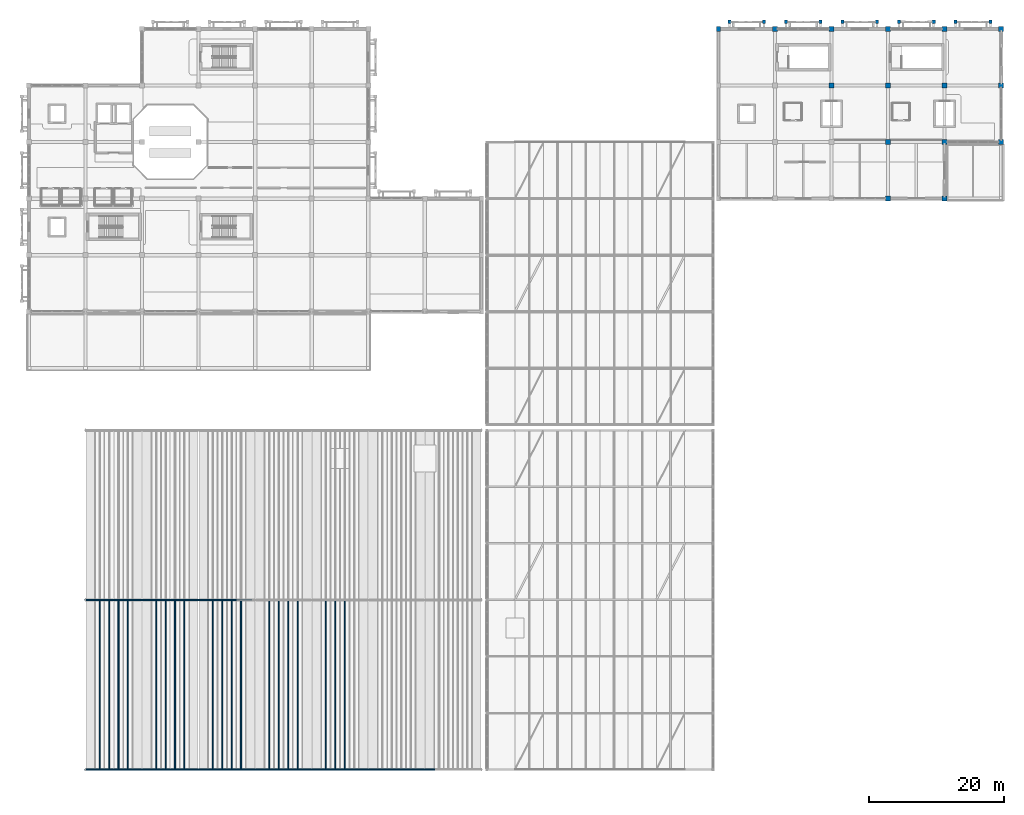
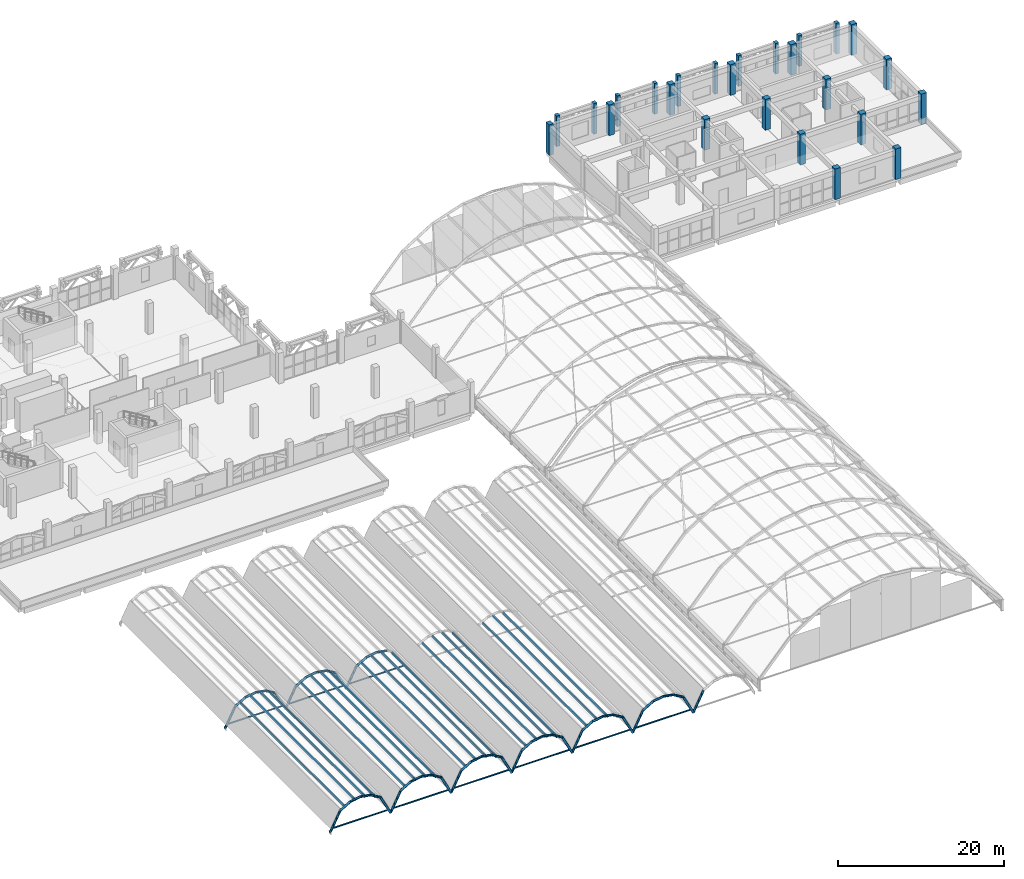
# One storey, part 8 of 114: 62 beams, 25 columns, 19 members.
"""IFC4 building model written with IfcOpenShell, lengths in metres."""

from ifc_helpers import new_model, si_unit, direction, frame, origin, origin_2d, place, context, subcontext, project, spatial, rectangle, hollow_circle, extrude, material, material_profile, profile_set, type_object, element, save


model = new_model("IFC4")

# Units and contexts
model_context = context("Model", 3, precision=1e-05, world=origin(), true_north=direction((0.0, 1.0)))
body_context = subcontext(model_context, "Body", "Model", "MODEL_VIEW")
ifc_project = project(units=[si_unit("LENGTHUNIT", "METRE"), si_unit("AREAUNIT", "SQUARE_METRE"), si_unit("VOLUMEUNIT", "CUBIC_METRE"), si_unit("PLANEANGLEUNIT", "RADIAN"), si_unit("MASSUNIT", "GRAM", prefix="KILO")], contexts=[model_context])

# Site, building, storey
site_placement = place(None, origin())
site = spatial("IfcSite", under=ifc_project, at=site_placement, CompositionType="ELEMENT")
building_placement = place(site_placement, origin())
building = spatial("IfcBuilding", under=site, at=building_placement, Name="Xazarin Passage Department Store", CompositionType="ELEMENT")
storey_placement = place(building_placement, frame((0.0, 0.0, 14.39990234375)))
storey = spatial("IfcBuildingStorey", under=building, at=storey_placement, Name="L03", CompositionType="ELEMENT", Elevation=14.39990234375)

# Columns
ifc_material_1 = material(Name="Concrete C40/50", Category="concrete")
ifc_material_profile_1 = material_profile(ifc_material_1, rectangle(XDim=0.75, YDim=0.75, at=origin_2d()), Name="RC 750x750")
ifc_profile_set_1 = profile_set([ifc_material_profile_1], Name="Concrete C40/50")
column_type_1 = type_object("IfcColumnType", Name="STR-COL-RC750", PredefinedType="COLUMN", material=ifc_profile_set_1)
for number, where, z_axis, x_axis, name in (
    (1, (127.60009765625, 84.800048828125, 0.0), (0.0, 0.0, 1.0), (1.0, 0.0, 0.0), "L03 Column 18/M"),
    (2, (136.0, 84.800048828125, 0.0), (0.0, 0.0, 1.0), (1.0, 0.0, 0.0), "L03 Column 19/M"),
    (3, (127.60009765625, 93.199951171875, 0.0), (0.0, 0.0, 1.0), (1.0, 0.0, 0.0), "L03 Column 18/N"),
    (4, (136.0, 93.199951171875, 0.0), (0.0, 0.0, 1.0), (1.0, 0.0, 0.0), "L03 Column 19/N"),
    (5, (144.39990234375, 93.199951171875, 0.0), (0.0, 0.0, 1.0), (1.0, 0.0, 0.0), "L03 Column 20/N"),
    (6, (119.199951171875, 101.60009765625, 0.0), (0.0, 0.0, 1.0), (1.0, 0.0, 0.0), "L03 Column 17/P"),
    (7, (127.60009765625, 101.60009765625, 0.0), (0.0, 0.0, 1.0), (1.0, 0.0, 0.0), "L03 Column 18/P"),
    (8, (136.0, 101.60009765625, 0.0), (0.0, 0.0, 1.0), (1.0, 0.0, 0.0), "L03 Column 19/P"),
    (9, (144.39990234375, 101.60009765625, 0.0), (0.0, 0.0, 1.0), (1.0, 0.0, 0.0), "L03 Column 20/P"),
    (10, (110.800048828125, 110.0, 0.0), (0.0, 0.0, 1.0), (1.0, 0.0, 0.0), "L03 Column 16/Q"),
    (11, (119.199951171875, 110.0, 0.0), (0.0, 0.0, 1.0), (1.0, 0.0, 0.0), "L03 Column 17/Q"),
    (12, (127.60009765625, 110.0, 0.0), (0.0, 0.0, 1.0), (1.0, 0.0, 0.0), "L03 Column 18/Q"),
    (13, (136.0, 110.0, 0.0), (0.0, 0.0, 1.0), (1.0, 0.0, 0.0), "L03 Column 19/Q"),
    (14, (144.39990234375, 110.0, 0.0), (0.0, 0.0, 1.0), (1.0, 0.0, 0.0), "L03 Column 20/Q"),
):
    element("IfcColumn", number, at=place(storey_placement, frame(where, z_axis=z_axis, x_axis=x_axis)), inside=storey, type_object=column_type_1, Name=name, PredefinedType="COLUMN", context=body_context, shape_type="SweptSolid", body=[
        extrude(rectangle(XDim=0.75, YDim=0.75, at=origin_2d()), origin(), (0.0, 0.0, 1.0), 4.5),
    ])
ifc_material_profile_2 = material_profile(ifc_material_1, rectangle(XDim=0.60009765625, YDim=0.75, at=origin_2d()), Name="RC 600x750")
ifc_profile_set_2 = profile_set([ifc_material_profile_2], Name="Concrete C40/50")
column_type_2 = type_object("IfcColumnType", Name="STR-COL-SJ750", PredefinedType="COLUMN", material=ifc_profile_set_2)
column_placement = place(storey_placement, frame((102.39990234375, 110.0, 0.0), z_axis=(0.0, 0.0, 1.0), x_axis=(1.0, 0.0, 0.0)))
element("IfcColumn", 15, at=column_placement, inside=storey, type_object=column_type_2, Name="L03 Column 15/Q", PredefinedType="COLUMN", context=body_context, shape_type="SweptSolid", body=[
    extrude(rectangle(XDim=0.60009765625, YDim=0.75, at=origin_2d()), origin(), (0.0, 0.0, 1.0), 4.5),
])
ifc_material_profile_3 = material_profile(ifc_material_1, rectangle(XDim=0.449951171875, YDim=0.550048828125, at=origin_2d()), Name="RC 450x550")
ifc_profile_set_3 = profile_set([ifc_material_profile_3], Name="Concrete C40/50")
column_type_3 = type_object("IfcColumnType", Name="STR-PIL-RC450", PredefinedType="PILASTER", material=ifc_profile_set_3)
for number, where, z_axis, x_axis, name in (
    (16, (104.02001953125, 111.050048828125, 0.0), (0.0, 0.0, 1.0), (1.0, 0.0, 0.0), "L03 V4 Pierced-Arch Colonnade Pier 040L"),
    (17, (109.179931640625, 111.050048828125, 0.0), (0.0, 0.0, 1.0), (1.0, 0.0, 0.0), "L03 V4 Pierced-Arch Colonnade Pier 040R"),
    (18, (112.419921875, 111.050048828125, 0.0), (0.0, 0.0, 1.0), (1.0, 0.0, 0.0), "L03 V4 Pierced-Arch Colonnade Pier 041L"),
    (19, (117.580078125, 111.050048828125, 0.0), (0.0, 0.0, 1.0), (1.0, 0.0, 0.0), "L03 V4 Pierced-Arch Colonnade Pier 041R"),
    (20, (120.820068359375, 111.050048828125, 0.0), (0.0, 0.0, 1.0), (1.0, 0.0, 0.0), "L03 V4 Pierced-Arch Colonnade Pier 042L"),
    (21, (125.97998046875, 111.050048828125, 0.0), (0.0, 0.0, 1.0), (1.0, 0.0, 0.0), "L03 V4 Pierced-Arch Colonnade Pier 042R"),
    (22, (129.219970703125, 111.050048828125, 0.0), (0.0, 0.0, 1.0), (1.0, 0.0, 0.0), "L03 V4 Pierced-Arch Colonnade Pier 043L"),
    (23, (134.3798828125, 111.050048828125, 0.0), (0.0, 0.0, 1.0), (1.0, 0.0, 0.0), "L03 V4 Pierced-Arch Colonnade Pier 043R"),
    (24, (137.6201171875, 111.050048828125, 0.0), (0.0, 0.0, 1.0), (1.0, 0.0, 0.0), "L03 V4 Pierced-Arch Colonnade Pier 044L"),
    (25, (142.780029296875, 111.050048828125, 0.0), (0.0, 0.0, 1.0), (1.0, 0.0, 0.0), "L03 V4 Pierced-Arch Colonnade Pier 044R"),
):
    element("IfcColumn", number, at=place(storey_placement, frame(where, z_axis=z_axis, x_axis=x_axis)), inside=storey, type_object=column_type_3, Name=name, PredefinedType="PILASTER", context=body_context, shape_type="SweptSolid", body=[
        extrude(rectangle(XDim=0.449951171875, YDim=0.550048828125, at=origin_2d()), origin(), (0.0, 0.0, 1.0), 4.5),
    ])

# Beams
ifc_material_2 = material(Name="Steel S355", Category="steel")
ifc_material_profile_4 = material_profile(ifc_material_2, hollow_circle(Radius=0.161865234375, WallThickness=0.01611328125, at=origin_2d()), Name="CHS 323.9x16")
ifc_profile_set_4 = profile_set([ifc_material_profile_4], Name="Steel S355")
beam_type_1 = type_object("IfcBeamType", Name="STR-BM-AR324", PredefinedType="BEAM", material=ifc_profile_set_4)
beam_1_placement = place(storey_placement, frame((8.39990234375, 0.0, 0.0), z_axis=(0.45532507494, 0.0, 0.890325264233), x_axis=(0.0, 1.0, 0.0)))
element("IfcBeam", 26, at=beam_1_placement, inside=storey, type_object=beam_type_1, Name="L03 V3 Curved Shell Arch Rib 1.1.1", PredefinedType="BEAM", context=body_context, shape_type="SweptSolid", body=[
    extrude(hollow_circle(Radius=0.161865234375, WallThickness=0.01611328125, at=origin_2d()), origin(), (0.0, 0.0, 1.0), 3.074951171875),
])
beam_2_placement = place(storey_placement, frame((9.800048828125, 0.0, 2.73779296875), z_axis=(0.861930350886, 0.0, 0.507026695769), x_axis=(0.0, 1.0, 0.0)))
element("IfcBeam", 27, at=beam_2_placement, inside=storey, type_object=beam_type_1, Name="L03 V3 Curved Shell Arch Rib 1.1.2", PredefinedType="BEAM", context=body_context, shape_type="SweptSolid", body=[
    extrude(hollow_circle(Radius=0.161865234375, WallThickness=0.01611328125, at=origin_2d()), origin(), (0.0, 0.0, 1.0), 1.624267578125),
])
beam_3_placement = place(storey_placement, frame((11.199951171875, 0.0, 3.561279296875), z_axis=(0.985769095159, 0.0, 0.168105000011), x_axis=(0.0, 1.0, 0.0)))
element("IfcBeam", 28, at=beam_3_placement, inside=storey, type_object=beam_type_1, Name="L03 V3 Curved Shell Arch Rib 1.1.3", PredefinedType="BEAM", context=body_context, shape_type="SweptSolid", body=[
    extrude(hollow_circle(Radius=0.161865234375, WallThickness=0.01611328125, at=origin_2d()), origin(), (0.0, 0.0, 1.0), 1.42041015625),
])
beam_4_placement = place(storey_placement, frame((12.60009765625, 0.0, 3.800048828125), z_axis=(0.985764236534, 0.0, -0.168133488547), x_axis=(0.0, 1.0, 0.0)))
element("IfcBeam", 29, at=beam_4_placement, inside=storey, type_object=beam_type_1, Name="L03 V3 Curved Shell Arch Rib 1.1.4", PredefinedType="BEAM", context=body_context, shape_type="SweptSolid", body=[
    extrude(hollow_circle(Radius=0.161865234375, WallThickness=0.01611328125, at=origin_2d()), origin(), (0.0, 0.0, 1.0), 1.420166015625),
])
beam_5_placement = place(storey_placement, frame((14.0, 0.0, 3.561279296875), z_axis=(0.861930350886, 0.0, -0.507026695769), x_axis=(0.0, 1.0, 0.0)))
element("IfcBeam", 30, at=beam_5_placement, inside=storey, type_object=beam_type_1, Name="L03 V3 Curved Shell Arch Rib 1.1.5", PredefinedType="BEAM", context=body_context, shape_type="SweptSolid", body=[
    extrude(hollow_circle(Radius=0.161865234375, WallThickness=0.01611328125, at=origin_2d()), origin(), (0.0, 0.0, 1.0), 1.624267578125),
])
for number, where, z_axis, x_axis, name in (
    (31, (15.39990234375, 0.0, 2.73779296875), (0.45532507494, 0.0, -0.890325264233), (0.0, 1.0, 0.0), "L03 V3 Curved Shell Arch Rib 1.1.6"),
    (32, (8.39990234375, 25.199951171875, 0.0), (0.45532507494, 0.0, 0.890325264233), (0.0, 1.0, 0.0), "L03 V3 Curved Shell Arch Rib 1.2.1"),
):
    element("IfcBeam", number, at=place(storey_placement, frame(where, z_axis=z_axis, x_axis=x_axis)), inside=storey, type_object=beam_type_1, Name=name, PredefinedType="BEAM", context=body_context, shape_type="SweptSolid", body=[
        extrude(hollow_circle(Radius=0.161865234375, WallThickness=0.01611328125, at=origin_2d()), origin(), (0.0, 0.0, 1.0), 3.074951171875),
    ])
beam_6_placement = place(storey_placement, frame((9.800048828125, 25.199951171875, 2.73779296875), z_axis=(0.861930350886, 0.0, 0.507026695769), x_axis=(0.0, 1.0, 0.0)))
element("IfcBeam", 33, at=beam_6_placement, inside=storey, type_object=beam_type_1, Name="L03 V3 Curved Shell Arch Rib 1.2.2", PredefinedType="BEAM", context=body_context, shape_type="SweptSolid", body=[
    extrude(hollow_circle(Radius=0.161865234375, WallThickness=0.01611328125, at=origin_2d()), origin(), (0.0, 0.0, 1.0), 1.624267578125),
])
beam_7_placement = place(storey_placement, frame((11.199951171875, 25.199951171875, 3.561279296875), z_axis=(0.985769095159, 0.0, 0.168105000011), x_axis=(0.0, 1.0, 0.0)))
element("IfcBeam", 34, at=beam_7_placement, inside=storey, type_object=beam_type_1, Name="L03 V3 Curved Shell Arch Rib 1.2.3", PredefinedType="BEAM", context=body_context, shape_type="SweptSolid", body=[
    extrude(hollow_circle(Radius=0.161865234375, WallThickness=0.01611328125, at=origin_2d()), origin(), (0.0, 0.0, 1.0), 1.42041015625),
])
beam_8_placement = place(storey_placement, frame((12.60009765625, 25.199951171875, 3.800048828125), z_axis=(0.985764236534, 0.0, -0.168133488547), x_axis=(0.0, 1.0, 0.0)))
element("IfcBeam", 35, at=beam_8_placement, inside=storey, type_object=beam_type_1, Name="L03 V3 Curved Shell Arch Rib 1.2.4", PredefinedType="BEAM", context=body_context, shape_type="SweptSolid", body=[
    extrude(hollow_circle(Radius=0.161865234375, WallThickness=0.01611328125, at=origin_2d()), origin(), (0.0, 0.0, 1.0), 1.420166015625),
])
beam_9_placement = place(storey_placement, frame((14.0, 25.199951171875, 3.561279296875), z_axis=(0.861930350886, 0.0, -0.507026695769), x_axis=(0.0, 1.0, 0.0)))
element("IfcBeam", 36, at=beam_9_placement, inside=storey, type_object=beam_type_1, Name="L03 V3 Curved Shell Arch Rib 1.2.5", PredefinedType="BEAM", context=body_context, shape_type="SweptSolid", body=[
    extrude(hollow_circle(Radius=0.161865234375, WallThickness=0.01611328125, at=origin_2d()), origin(), (0.0, 0.0, 1.0), 1.624267578125),
])
for number, where, z_axis, x_axis, name in (
    (37, (15.39990234375, 25.199951171875, 2.73779296875), (0.45532507494, 0.0, -0.890325264233), (0.0, 1.0, 0.0), "L03 V3 Curved Shell Arch Rib 1.2.6"),
    (38, (16.800048828125, 0.0, 0.0), (0.455262137498, 0.0, 0.890357448535), (0.0, 1.0, 0.0), "L03 V3 Curved Shell Arch Rib 2.1.1"),
):
    element("IfcBeam", number, at=place(storey_placement, frame(where, z_axis=z_axis, x_axis=x_axis)), inside=storey, type_object=beam_type_1, Name=name, PredefinedType="BEAM", context=body_context, shape_type="SweptSolid", body=[
        extrude(hollow_circle(Radius=0.161865234375, WallThickness=0.01611328125, at=origin_2d()), origin(), (0.0, 0.0, 1.0), 3.074951171875),
    ])
beam_10_placement = place(storey_placement, frame((18.199951171875, 0.0, 2.73779296875), z_axis=(0.861968986848, 0.0, 0.506961010051), x_axis=(0.0, 1.0, 0.0)))
element("IfcBeam", 39, at=beam_10_placement, inside=storey, type_object=beam_type_1, Name="L03 V3 Curved Shell Arch Rib 2.1.2", PredefinedType="BEAM", context=body_context, shape_type="SweptSolid", body=[
    extrude(hollow_circle(Radius=0.161865234375, WallThickness=0.01611328125, at=origin_2d()), origin(), (0.0, 0.0, 1.0), 1.624267578125),
])
for number, where, z_axis, x_axis, name in (
    (40, (19.60009765625, 0.0, 3.561279296875), (0.985764236534, 0.0, 0.168133488547), (0.0, 1.0, 0.0), "L03 V3 Curved Shell Arch Rib 2.1.3"),
    (41, (21.0, 0.0, 3.800048828125), (0.985764236534, 0.0, -0.168133488547), (0.0, 1.0, 0.0), "L03 V3 Curved Shell Arch Rib 2.1.4"),
):
    element("IfcBeam", number, at=place(storey_placement, frame(where, z_axis=z_axis, x_axis=x_axis)), inside=storey, type_object=beam_type_1, Name=name, PredefinedType="BEAM", context=body_context, shape_type="SweptSolid", body=[
        extrude(hollow_circle(Radius=0.161865234375, WallThickness=0.01611328125, at=origin_2d()), origin(), (0.0, 0.0, 1.0), 1.420166015625),
    ])
beam_11_placement = place(storey_placement, frame((22.39990234375, 0.0, 3.561279296875), z_axis=(0.861968986848, 0.0, -0.506961010051), x_axis=(0.0, 1.0, 0.0)))
element("IfcBeam", 42, at=beam_11_placement, inside=storey, type_object=beam_type_1, Name="L03 V3 Curved Shell Arch Rib 2.1.5", PredefinedType="BEAM", context=body_context, shape_type="SweptSolid", body=[
    extrude(hollow_circle(Radius=0.161865234375, WallThickness=0.01611328125, at=origin_2d()), origin(), (0.0, 0.0, 1.0), 1.624267578125),
])
for number, where, z_axis, x_axis, name in (
    (43, (23.800048828125, 0.0, 2.73779296875), (0.455262137498, 0.0, -0.890357448535), (0.0, 1.0, 0.0), "L03 V3 Curved Shell Arch Rib 2.1.6"),
    (44, (16.800048828125, 25.199951171875, 0.0), (0.455262137498, 0.0, 0.890357448535), (0.0, 1.0, 0.0), "L03 V3 Curved Shell Arch Rib 2.2.1"),
):
    element("IfcBeam", number, at=place(storey_placement, frame(where, z_axis=z_axis, x_axis=x_axis)), inside=storey, type_object=beam_type_1, Name=name, PredefinedType="BEAM", context=body_context, shape_type="SweptSolid", body=[
        extrude(hollow_circle(Radius=0.161865234375, WallThickness=0.01611328125, at=origin_2d()), origin(), (0.0, 0.0, 1.0), 3.074951171875),
    ])
beam_12_placement = place(storey_placement, frame((18.199951171875, 25.199951171875, 2.73779296875), z_axis=(0.861968986848, 0.0, 0.506961010051), x_axis=(0.0, 1.0, 0.0)))
element("IfcBeam", 45, at=beam_12_placement, inside=storey, type_object=beam_type_1, Name="L03 V3 Curved Shell Arch Rib 2.2.2", PredefinedType="BEAM", context=body_context, shape_type="SweptSolid", body=[
    extrude(hollow_circle(Radius=0.161865234375, WallThickness=0.01611328125, at=origin_2d()), origin(), (0.0, 0.0, 1.0), 1.624267578125),
])
for number, where, z_axis, x_axis, name in (
    (46, (19.60009765625, 25.199951171875, 3.561279296875), (0.985764236534, 0.0, 0.168133488547), (0.0, 1.0, 0.0), "L03 V3 Curved Shell Arch Rib 2.2.3"),
    (47, (21.0, 25.199951171875, 3.800048828125), (0.985764236534, 0.0, -0.168133488547), (0.0, 1.0, 0.0), "L03 V3 Curved Shell Arch Rib 2.2.4"),
):
    element("IfcBeam", number, at=place(storey_placement, frame(where, z_axis=z_axis, x_axis=x_axis)), inside=storey, type_object=beam_type_1, Name=name, PredefinedType="BEAM", context=body_context, shape_type="SweptSolid", body=[
        extrude(hollow_circle(Radius=0.161865234375, WallThickness=0.01611328125, at=origin_2d()), origin(), (0.0, 0.0, 1.0), 1.420166015625),
    ])
beam_13_placement = place(storey_placement, frame((22.39990234375, 25.199951171875, 3.561279296875), z_axis=(0.861968986848, 0.0, -0.506961010051), x_axis=(0.0, 1.0, 0.0)))
element("IfcBeam", 48, at=beam_13_placement, inside=storey, type_object=beam_type_1, Name="L03 V3 Curved Shell Arch Rib 2.2.5", PredefinedType="BEAM", context=body_context, shape_type="SweptSolid", body=[
    extrude(hollow_circle(Radius=0.161865234375, WallThickness=0.01611328125, at=origin_2d()), origin(), (0.0, 0.0, 1.0), 1.624267578125),
])
for number, where, z_axis, x_axis, name in (
    (49, (23.800048828125, 25.199951171875, 2.73779296875), (0.455262137498, 0.0, -0.890357448535), (0.0, 1.0, 0.0), "L03 V3 Curved Shell Arch Rib 2.2.6"),
    (50, (25.199951171875, 0.0, 0.0), (0.45532507494, 0.0, 0.890325264233), (0.0, 1.0, 0.0), "L03 V3 Curved Shell Arch Rib 3.1.1"),
):
    element("IfcBeam", number, at=place(storey_placement, frame(where, z_axis=z_axis, x_axis=x_axis)), inside=storey, type_object=beam_type_1, Name=name, PredefinedType="BEAM", context=body_context, shape_type="SweptSolid", body=[
        extrude(hollow_circle(Radius=0.161865234375, WallThickness=0.01611328125, at=origin_2d()), origin(), (0.0, 0.0, 1.0), 3.074951171875),
    ])
beam_14_placement = place(storey_placement, frame((26.60009765625, 0.0, 2.73779296875), z_axis=(0.861930350886, 0.0, 0.507026695769), x_axis=(0.0, 1.0, 0.0)))
element("IfcBeam", 51, at=beam_14_placement, inside=storey, type_object=beam_type_1, Name="L03 V3 Curved Shell Arch Rib 3.1.2", PredefinedType="BEAM", context=body_context, shape_type="SweptSolid", body=[
    extrude(hollow_circle(Radius=0.161865234375, WallThickness=0.01611328125, at=origin_2d()), origin(), (0.0, 0.0, 1.0), 1.624267578125),
])
beam_15_placement = place(storey_placement, frame((28.0, 0.0, 3.561279296875), z_axis=(0.985764236534, 0.0, 0.168133488547), x_axis=(0.0, 1.0, 0.0)))
element("IfcBeam", 52, at=beam_15_placement, inside=storey, type_object=beam_type_1, Name="L03 V3 Curved Shell Arch Rib 3.1.3", PredefinedType="BEAM", context=body_context, shape_type="SweptSolid", body=[
    extrude(hollow_circle(Radius=0.161865234375, WallThickness=0.01611328125, at=origin_2d()), origin(), (0.0, 0.0, 1.0), 1.420166015625),
])
beam_16_placement = place(storey_placement, frame((29.39990234375, 0.0, 3.800048828125), z_axis=(0.985769095159, 0.0, -0.168105000011), x_axis=(0.0, 1.0, 0.0)))
element("IfcBeam", 53, at=beam_16_placement, inside=storey, type_object=beam_type_1, Name="L03 V3 Curved Shell Arch Rib 3.1.4", PredefinedType="BEAM", context=body_context, shape_type="SweptSolid", body=[
    extrude(hollow_circle(Radius=0.161865234375, WallThickness=0.01611328125, at=origin_2d()), origin(), (0.0, 0.0, 1.0), 1.42041015625),
])
beam_17_placement = place(storey_placement, frame((30.800048828125, 0.0, 3.561279296875), z_axis=(0.861930350886, 0.0, -0.507026695769), x_axis=(0.0, 1.0, 0.0)))
element("IfcBeam", 54, at=beam_17_placement, inside=storey, type_object=beam_type_1, Name="L03 V3 Curved Shell Arch Rib 3.1.5", PredefinedType="BEAM", context=body_context, shape_type="SweptSolid", body=[
    extrude(hollow_circle(Radius=0.161865234375, WallThickness=0.01611328125, at=origin_2d()), origin(), (0.0, 0.0, 1.0), 1.624267578125),
])
for number, where, z_axis, x_axis, name in (
    (55, (32.199951171875, 0.0, 2.73779296875), (0.45532507494, 0.0, -0.890325264233), (0.0, 1.0, 0.0), "L03 V3 Curved Shell Arch Rib 3.1.6"),
    (56, (25.199951171875, 25.199951171875, 0.0), (0.45532507494, 0.0, 0.890325264233), (0.0, 1.0, 0.0), "L03 V3 Curved Shell Arch Rib 3.2.1"),
):
    element("IfcBeam", number, at=place(storey_placement, frame(where, z_axis=z_axis, x_axis=x_axis)), inside=storey, type_object=beam_type_1, Name=name, PredefinedType="BEAM", context=body_context, shape_type="SweptSolid", body=[
        extrude(hollow_circle(Radius=0.161865234375, WallThickness=0.01611328125, at=origin_2d()), origin(), (0.0, 0.0, 1.0), 3.074951171875),
    ])
beam_18_placement = place(storey_placement, frame((26.60009765625, 25.199951171875, 2.73779296875), z_axis=(0.861930350886, 0.0, 0.507026695769), x_axis=(0.0, 1.0, 0.0)))
element("IfcBeam", 57, at=beam_18_placement, inside=storey, type_object=beam_type_1, Name="L03 V3 Curved Shell Arch Rib 3.2.2", PredefinedType="BEAM", context=body_context, shape_type="SweptSolid", body=[
    extrude(hollow_circle(Radius=0.161865234375, WallThickness=0.01611328125, at=origin_2d()), origin(), (0.0, 0.0, 1.0), 1.624267578125),
])
beam_19_placement = place(storey_placement, frame((28.0, 25.199951171875, 3.561279296875), z_axis=(0.985764236534, 0.0, 0.168133488547), x_axis=(0.0, 1.0, 0.0)))
element("IfcBeam", 58, at=beam_19_placement, inside=storey, type_object=beam_type_1, Name="L03 V3 Curved Shell Arch Rib 3.2.3", PredefinedType="BEAM", context=body_context, shape_type="SweptSolid", body=[
    extrude(hollow_circle(Radius=0.161865234375, WallThickness=0.01611328125, at=origin_2d()), origin(), (0.0, 0.0, 1.0), 1.420166015625),
])
beam_20_placement = place(storey_placement, frame((29.39990234375, 25.199951171875, 3.800048828125), z_axis=(0.985769095159, 0.0, -0.168105000011), x_axis=(0.0, 1.0, 0.0)))
element("IfcBeam", 59, at=beam_20_placement, inside=storey, type_object=beam_type_1, Name="L03 V3 Curved Shell Arch Rib 3.2.4", PredefinedType="BEAM", context=body_context, shape_type="SweptSolid", body=[
    extrude(hollow_circle(Radius=0.161865234375, WallThickness=0.01611328125, at=origin_2d()), origin(), (0.0, 0.0, 1.0), 1.42041015625),
])
beam_21_placement = place(storey_placement, frame((33.60009765625, 0.0, 0.0), z_axis=(0.455262137498, 0.0, 0.890357448535), x_axis=(0.0, 1.0, 0.0)))
element("IfcBeam", 60, at=beam_21_placement, inside=storey, type_object=beam_type_1, Name="L03 V3 Curved Shell Arch Rib 4.1.1", PredefinedType="BEAM", context=body_context, shape_type="SweptSolid", body=[
    extrude(hollow_circle(Radius=0.161865234375, WallThickness=0.01611328125, at=origin_2d()), origin(), (0.0, 0.0, 1.0), 3.074951171875),
])
beam_22_placement = place(storey_placement, frame((35.0, 0.0, 2.73779296875), z_axis=(0.861930350886, 0.0, 0.507026695769), x_axis=(0.0, 1.0, 0.0)))
element("IfcBeam", 61, at=beam_22_placement, inside=storey, type_object=beam_type_1, Name="L03 V3 Curved Shell Arch Rib 4.1.2", PredefinedType="BEAM", context=body_context, shape_type="SweptSolid", body=[
    extrude(hollow_circle(Radius=0.161865234375, WallThickness=0.01611328125, at=origin_2d()), origin(), (0.0, 0.0, 1.0), 1.624267578125),
])
beam_23_placement = place(storey_placement, frame((36.39990234375, 0.0, 3.561279296875), z_axis=(0.985769095159, 0.0, 0.168105000011), x_axis=(0.0, 1.0, 0.0)))
element("IfcBeam", 62, at=beam_23_placement, inside=storey, type_object=beam_type_1, Name="L03 V3 Curved Shell Arch Rib 4.1.3", PredefinedType="BEAM", context=body_context, shape_type="SweptSolid", body=[
    extrude(hollow_circle(Radius=0.161865234375, WallThickness=0.01611328125, at=origin_2d()), origin(), (0.0, 0.0, 1.0), 1.42041015625),
])
beam_24_placement = place(storey_placement, frame((37.800048828125, 0.0, 3.800048828125), z_axis=(0.985764236534, 0.0, -0.168133488547), x_axis=(0.0, 1.0, 0.0)))
element("IfcBeam", 63, at=beam_24_placement, inside=storey, type_object=beam_type_1, Name="L03 V3 Curved Shell Arch Rib 4.1.4", PredefinedType="BEAM", context=body_context, shape_type="SweptSolid", body=[
    extrude(hollow_circle(Radius=0.161865234375, WallThickness=0.01611328125, at=origin_2d()), origin(), (0.0, 0.0, 1.0), 1.420166015625),
])
beam_25_placement = place(storey_placement, frame((39.199951171875, 0.0, 3.561279296875), z_axis=(0.861968986848, 0.0, -0.506961010051), x_axis=(0.0, 1.0, 0.0)))
element("IfcBeam", 64, at=beam_25_placement, inside=storey, type_object=beam_type_1, Name="L03 V3 Curved Shell Arch Rib 4.1.5", PredefinedType="BEAM", context=body_context, shape_type="SweptSolid", body=[
    extrude(hollow_circle(Radius=0.161865234375, WallThickness=0.01611328125, at=origin_2d()), origin(), (0.0, 0.0, 1.0), 1.624267578125),
])
for number, where, z_axis, x_axis, name in (
    (65, (40.60009765625, 0.0, 2.73779296875), (0.455262137498, 0.0, -0.890357448535), (0.0, 1.0, 0.0), "L03 V3 Curved Shell Arch Rib 4.1.6"),
    (66, (42.0, 0.0, 0.0), (0.455262137498, 0.0, 0.890357448535), (0.0, 1.0, 0.0), "L03 V3 Curved Shell Arch Rib 5.1.1"),
):
    element("IfcBeam", number, at=place(storey_placement, frame(where, z_axis=z_axis, x_axis=x_axis)), inside=storey, type_object=beam_type_1, Name=name, PredefinedType="BEAM", context=body_context, shape_type="SweptSolid", body=[
        extrude(hollow_circle(Radius=0.161865234375, WallThickness=0.01611328125, at=origin_2d()), origin(), (0.0, 0.0, 1.0), 3.074951171875),
    ])
beam_26_placement = place(storey_placement, frame((43.39990234375, 0.0, 2.73779296875), z_axis=(0.861968986848, 0.0, 0.506961010051), x_axis=(0.0, 1.0, 0.0)))
element("IfcBeam", 67, at=beam_26_placement, inside=storey, type_object=beam_type_1, Name="L03 V3 Curved Shell Arch Rib 5.1.2", PredefinedType="BEAM", context=body_context, shape_type="SweptSolid", body=[
    extrude(hollow_circle(Radius=0.161865234375, WallThickness=0.01611328125, at=origin_2d()), origin(), (0.0, 0.0, 1.0), 1.624267578125),
])
beam_27_placement = place(storey_placement, frame((44.800048828125, 0.0, 3.561279296875), z_axis=(0.985764236534, 0.0, 0.168133488547), x_axis=(0.0, 1.0, 0.0)))
element("IfcBeam", 68, at=beam_27_placement, inside=storey, type_object=beam_type_1, Name="L03 V3 Curved Shell Arch Rib 5.1.3", PredefinedType="BEAM", context=body_context, shape_type="SweptSolid", body=[
    extrude(hollow_circle(Radius=0.161865234375, WallThickness=0.01611328125, at=origin_2d()), origin(), (0.0, 0.0, 1.0), 1.420166015625),
])
beam_28_placement = place(storey_placement, frame((46.199951171875, 0.0, 3.800048828125), z_axis=(0.985769095159, 0.0, -0.168105000011), x_axis=(0.0, 1.0, 0.0)))
element("IfcBeam", 69, at=beam_28_placement, inside=storey, type_object=beam_type_1, Name="L03 V3 Curved Shell Arch Rib 5.1.4", PredefinedType="BEAM", context=body_context, shape_type="SweptSolid", body=[
    extrude(hollow_circle(Radius=0.161865234375, WallThickness=0.01611328125, at=origin_2d()), origin(), (0.0, 0.0, 1.0), 1.42041015625),
])
beam_29_placement = place(storey_placement, frame((47.60009765625, 0.0, 3.561279296875), z_axis=(0.861930350886, 0.0, -0.507026695769), x_axis=(0.0, 1.0, 0.0)))
element("IfcBeam", 70, at=beam_29_placement, inside=storey, type_object=beam_type_1, Name="L03 V3 Curved Shell Arch Rib 5.1.5", PredefinedType="BEAM", context=body_context, shape_type="SweptSolid", body=[
    extrude(hollow_circle(Radius=0.161865234375, WallThickness=0.01611328125, at=origin_2d()), origin(), (0.0, 0.0, 1.0), 1.624267578125),
])
for number, where, z_axis, x_axis, name in (
    (71, (49.0, 0.0, 2.73779296875), (0.455262137498, 0.0, -0.890357448535), (0.0, 1.0, 0.0), "L03 V3 Curved Shell Arch Rib 5.1.6"),
    (72, (50.39990234375, 0.0, 0.0), (0.45532507494, 0.0, 0.890325264233), (0.0, 1.0, 0.0), "L03 V3 Curved Shell Arch Rib 6.1.1"),
):
    element("IfcBeam", number, at=place(storey_placement, frame(where, z_axis=z_axis, x_axis=x_axis)), inside=storey, type_object=beam_type_1, Name=name, PredefinedType="BEAM", context=body_context, shape_type="SweptSolid", body=[
        extrude(hollow_circle(Radius=0.161865234375, WallThickness=0.01611328125, at=origin_2d()), origin(), (0.0, 0.0, 1.0), 3.074951171875),
    ])
beam_30_placement = place(storey_placement, frame((51.800048828125, 0.0, 2.73779296875), z_axis=(0.861930350886, 0.0, 0.507026695769), x_axis=(0.0, 1.0, 0.0)))
element("IfcBeam", 73, at=beam_30_placement, inside=storey, type_object=beam_type_1, Name="L03 V3 Curved Shell Arch Rib 6.1.2", PredefinedType="BEAM", context=body_context, shape_type="SweptSolid", body=[
    extrude(hollow_circle(Radius=0.161865234375, WallThickness=0.01611328125, at=origin_2d()), origin(), (0.0, 0.0, 1.0), 1.624267578125),
])
beam_31_placement = place(storey_placement, frame((53.199951171875, 0.0, 3.561279296875), z_axis=(0.985769095159, 0.0, 0.168105000011), x_axis=(0.0, 1.0, 0.0)))
element("IfcBeam", 74, at=beam_31_placement, inside=storey, type_object=beam_type_1, Name="L03 V3 Curved Shell Arch Rib 6.1.3", PredefinedType="BEAM", context=body_context, shape_type="SweptSolid", body=[
    extrude(hollow_circle(Radius=0.161865234375, WallThickness=0.01611328125, at=origin_2d()), origin(), (0.0, 0.0, 1.0), 1.42041015625),
])
beam_32_placement = place(storey_placement, frame((54.60009765625, 0.0, 3.800048828125), z_axis=(0.985764236534, 0.0, -0.168133488547), x_axis=(0.0, 1.0, 0.0)))
element("IfcBeam", 75, at=beam_32_placement, inside=storey, type_object=beam_type_1, Name="L03 V3 Curved Shell Arch Rib 6.1.4", PredefinedType="BEAM", context=body_context, shape_type="SweptSolid", body=[
    extrude(hollow_circle(Radius=0.161865234375, WallThickness=0.01611328125, at=origin_2d()), origin(), (0.0, 0.0, 1.0), 1.420166015625),
])
beam_33_placement = place(storey_placement, frame((56.0, 0.0, 3.561279296875), z_axis=(0.861930350886, 0.0, -0.507026695769), x_axis=(0.0, 1.0, 0.0)))
element("IfcBeam", 76, at=beam_33_placement, inside=storey, type_object=beam_type_1, Name="L03 V3 Curved Shell Arch Rib 6.1.5", PredefinedType="BEAM", context=body_context, shape_type="SweptSolid", body=[
    extrude(hollow_circle(Radius=0.161865234375, WallThickness=0.01611328125, at=origin_2d()), origin(), (0.0, 0.0, 1.0), 1.624267578125),
])
for number, where, z_axis, x_axis, name in (
    (77, (57.39990234375, 0.0, 2.73779296875), (0.45532507494, 0.0, -0.890325264233), (0.0, 1.0, 0.0), "L03 V3 Curved Shell Arch Rib 6.1.6"),
    (78, (58.800048828125, 0.0, 0.0), (0.455262137498, 0.0, 0.890357448535), (0.0, 1.0, 0.0), "L03 V3 Curved Shell Arch Rib 7.1.1"),
):
    element("IfcBeam", number, at=place(storey_placement, frame(where, z_axis=z_axis, x_axis=x_axis)), inside=storey, type_object=beam_type_1, Name=name, PredefinedType="BEAM", context=body_context, shape_type="SweptSolid", body=[
        extrude(hollow_circle(Radius=0.161865234375, WallThickness=0.01611328125, at=origin_2d()), origin(), (0.0, 0.0, 1.0), 3.074951171875),
    ])
ifc_material_profile_5 = material_profile(ifc_material_2, hollow_circle(Radius=0.109619140625, WallThickness=0.012451171875, at=origin_2d()), Name="CHS 219.1x12.5")
ifc_profile_set_5 = profile_set([ifc_material_profile_5], Name="Steel S355")
beam_type_2 = type_object("IfcBeamType", Name="STR-BM-TIE219", PredefinedType="BEAM", material=ifc_profile_set_5)
for number, where, z_axis, x_axis, name in (
    (79, (8.85009765625, 0.0, 0.52001953125), (1.0, 0.0, 0.0), (0.0, 1.0, 0.0), "L03 V3 Barrel Shell Tie 1.1"),
    (80, (8.85009765625, 25.199951171875, 0.52001953125), (1.0, 0.0, 0.0), (0.0, 1.0, 0.0), "L03 V3 Barrel Shell Tie 1.2"),
    (81, (17.25, 0.0, 0.52001953125), (1.0, 0.0, 0.0), (0.0, 1.0, 0.0), "L03 V3 Barrel Shell Tie 2.1"),
    (82, (17.25, 25.199951171875, 0.52001953125), (1.0, 0.0, 0.0), (0.0, 1.0, 0.0), "L03 V3 Barrel Shell Tie 2.2"),
    (83, (25.64990234375, 0.0, 0.52001953125), (1.0, 0.0, 0.0), (0.0, 1.0, 0.0), "L03 V3 Barrel Shell Tie 3.1"),
    (84, (25.64990234375, 25.199951171875, 0.52001953125), (1.0, 0.0, 0.0), (0.0, 1.0, 0.0), "L03 V3 Barrel Shell Tie 3.2"),
    (85, (34.050048828125, 0.0, 0.52001953125), (1.0, 0.0, 0.0), (0.0, 1.0, 0.0), "L03 V3 Barrel Shell Tie 4.1"),
    (86, (42.449951171875, 0.0, 0.52001953125), (1.0, 0.0, 0.0), (0.0, 1.0, 0.0), "L03 V3 Barrel Shell Tie 5.1"),
    (87, (50.85009765625, 0.0, 0.52001953125), (1.0, 0.0, 0.0), (0.0, 1.0, 0.0), "L03 V3 Barrel Shell Tie 6.1"),
):
    element("IfcBeam", number, at=place(storey_placement, frame(where, z_axis=z_axis, x_axis=x_axis)), inside=storey, type_object=beam_type_2, Name=name, PredefinedType="BEAM", context=body_context, shape_type="SweptSolid", body=[
        extrude(hollow_circle(Radius=0.109619140625, WallThickness=0.012451171875, at=origin_2d()), origin(), (0.0, 0.0, 1.0), 7.5),
    ])

# Members
ifc_material_3 = material(Name="Glulam GL28h", Category="wood")
ifc_material_profile_6 = material_profile(ifc_material_3, rectangle(XDim=0.159912109375, YDim=0.360107421875, at=origin_2d()), Name="GL28h 160x360")
ifc_profile_set_6 = profile_set([ifc_material_profile_6], Name="Glulam GL28h")
member_type = type_object("IfcMemberType", Name="STR-MEM-GL360", PredefinedType="PURLIN", material=ifc_profile_set_6)
for number, where, z_axis, x_axis, name in (
    (88, (10.5, 0.050048828125, 3.029296875), (0.0, 1.0, 0.0), (-1.0, 0.0, 0.0), "L03 V3 Barrel Shell Purlin 1.2.1"),
    (89, (11.89990234375, 0.050048828125, 3.560546875), (0.0, 1.0, 0.0), (-1.0, 0.0, 0.0), "L03 V3 Barrel Shell Purlin 1.3.1"),
    (90, (13.300048828125, 0.050048828125, 3.560546875), (0.0, 1.0, 0.0), (-1.0, 0.0, 0.0), "L03 V3 Barrel Shell Purlin 1.4.1"),
    (91, (14.699951171875, 0.050048828125, 3.029296875), (0.0, 1.0, 0.0), (-1.0, 0.0, 0.0), "L03 V3 Barrel Shell Purlin 1.5.1"),
    (92, (18.89990234375, 0.050048828125, 3.029296875), (0.0, 1.0, 0.0), (-1.0, 0.0, 0.0), "L03 V3 Barrel Shell Purlin 2.2.1"),
    (93, (20.300048828125, 0.050048828125, 3.560546875), (0.0, 1.0, 0.0), (-1.0, 0.0, 0.0), "L03 V3 Barrel Shell Purlin 2.3.1"),
    (94, (21.699951171875, 0.050048828125, 3.560546875), (0.0, 1.0, 0.0), (-1.0, 0.0, 0.0), "L03 V3 Barrel Shell Purlin 2.4.1"),
    (95, (23.10009765625, 0.050048828125, 3.029296875), (0.0, 1.0, 0.0), (-1.0, 0.0, 0.0), "L03 V3 Barrel Shell Purlin 2.5.1"),
    (96, (27.300048828125, 0.050048828125, 3.029296875), (0.0, 1.0, 0.0), (-1.0, 0.0, 0.0), "L03 V3 Barrel Shell Purlin 3.2.1"),
    (97, (28.699951171875, 0.050048828125, 3.560546875), (0.0, 1.0, 0.0), (-1.0, 0.0, 0.0), "L03 V3 Barrel Shell Purlin 3.3.1"),
    (98, (30.10009765625, 0.050048828125, 3.560546875), (0.0, 1.0, 0.0), (-1.0, 0.0, 0.0), "L03 V3 Barrel Shell Purlin 3.4.1"),
    (99, (31.5, 0.050048828125, 3.029296875), (0.0, 1.0, 0.0), (-1.0, 0.0, 0.0), "L03 V3 Barrel Shell Purlin 3.5.1"),
    (100, (35.699951171875, 0.050048828125, 3.029296875), (0.0, 1.0, 0.0), (-1.0, 0.0, 0.0), "L03 V3 Barrel Shell Purlin 4.2.1"),
    (101, (37.10009765625, 0.050048828125, 3.560546875), (0.0, 1.0, 0.0), (-1.0, 0.0, 0.0), "L03 V3 Barrel Shell Purlin 4.3.1"),
    (102, (38.5, 0.050048828125, 3.560546875), (0.0, 1.0, 0.0), (-1.0, 0.0, 0.0), "L03 V3 Barrel Shell Purlin 4.4.1"),
    (103, (39.89990234375, 0.050048828125, 3.029296875), (0.0, 1.0, 0.0), (-1.0, 0.0, 0.0), "L03 V3 Barrel Shell Purlin 4.5.1"),
    (104, (44.10009765625, 0.050048828125, 3.029296875), (0.0, 1.0, 0.0), (-1.0, 0.0, 0.0), "L03 V3 Barrel Shell Purlin 5.2.1"),
    (105, (45.5, 0.050048828125, 3.560546875), (0.0, 1.0, 0.0), (-1.0, 0.0, 0.0), "L03 V3 Barrel Shell Purlin 5.3.1"),
    (106, (46.89990234375, 0.050048828125, 3.560546875), (0.0, 1.0, 0.0), (-1.0, 0.0, 0.0), "L03 V3 Barrel Shell Purlin 5.4.1"),
):
    element("IfcMember", number, at=place(storey_placement, frame(where, z_axis=z_axis, x_axis=x_axis)), inside=storey, type_object=member_type, Name=name, PredefinedType="PURLIN", context=body_context, shape_type="SweptSolid", body=[
        extrude(rectangle(XDim=0.159912109375, YDim=0.360107421875, at=origin_2d()), origin(), (0.0, 0.0, 1.0), 25.099853515625),
    ])

save(model, "model.ifc")
